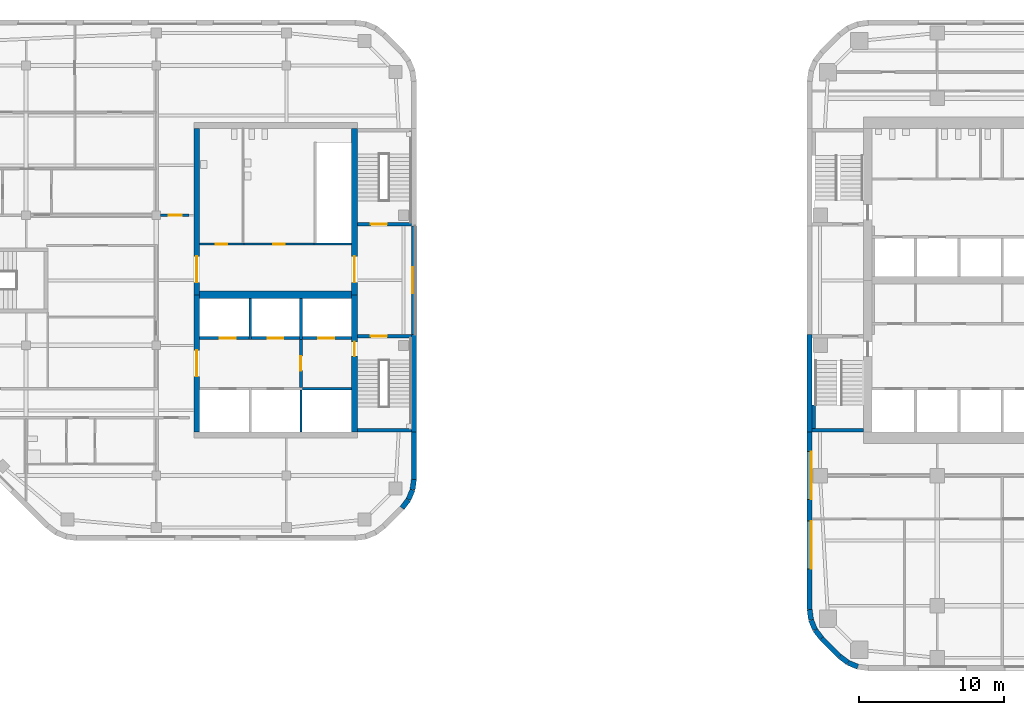
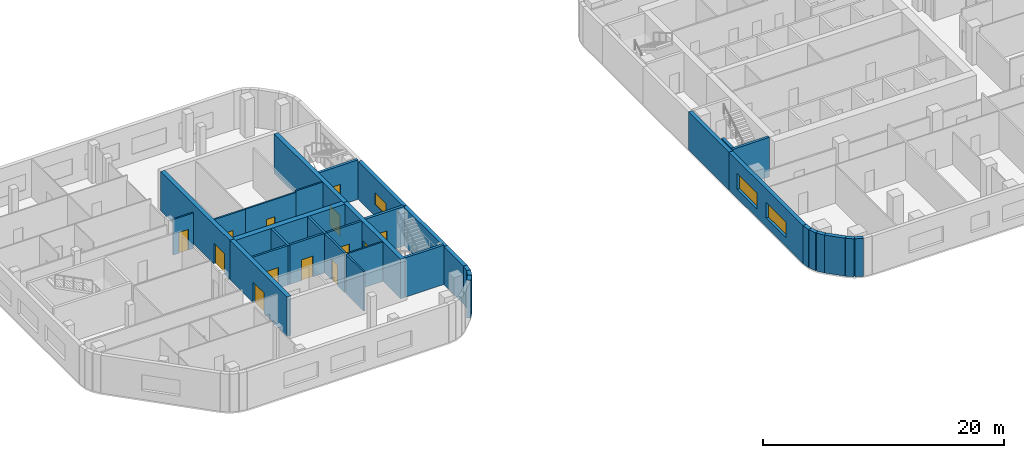
# One storey, part 6 of 15: 36 walls, 13 doors, 3 windows, 16 openings.
"""IFC4 building model written with IfcOpenShell, lengths in metres."""

from ifc_helpers import new_model, si_unit, direction, frame, frame_2d, origin, place, context, subcontext, project, spatial, rectangle, extrude, material, layer, layer_set, type_object, element, fill, save


model = new_model("IFC4")

# Units and contexts
model_context = context("Model", 3, precision=1e-05, world=origin(), true_north=direction((0.0, 1.0)))
body_context = subcontext(model_context, "Body", "Model", "MODEL_VIEW")
ifc_project = project(units=[si_unit("LENGTHUNIT", "METRE"), si_unit("AREAUNIT", "SQUARE_METRE"), si_unit("VOLUMEUNIT", "CUBIC_METRE"), si_unit("PLANEANGLEUNIT", "RADIAN"), si_unit("MASSUNIT", "GRAM", prefix="KILO")], contexts=[model_context])

# Site, building, storey
site_placement = place(None, origin())
site = spatial("IfcSite", under=ifc_project, at=site_placement, CompositionType="ELEMENT")
building_placement = place(site_placement, origin())
building = spatial("IfcBuilding", under=site, at=building_placement, Name="Cinnabar Reach Civic Tower", CompositionType="ELEMENT")
storey_placement = place(building_placement, frame((0.0, 0.0, 120.0)))
storey = spatial("IfcBuildingStorey", under=building, at=storey_placement, Name="L28", CompositionType="ELEMENT", Elevation=120.0)

# Walls
ifc_material_1 = material(Name="Facing brick with insulated backing", Category="masonry")
ifc_layer_1 = layer(ifc_material_1, 0.36)
ifc_layer_set_1 = layer_set([ifc_layer_1], Name="Brick corner wall")
wall_type_1 = type_object("IfcWallType", Name="Brick corner wall", PredefinedType="STANDARD", material=ifc_layer_set_1)
for number, where, z_axis, x_axis, name in (
    (1, (0.183, 8.7314, 0.0), (0.0, 0.0, 1.0), (0.13055608231, -0.99144092581, 0.0), "Brick corner wall"),
    (2, (0.2819, 8.0027, 0.0), (0.0, 0.0, 1.0), (0.382702709855, -0.923871547278, 0.0), "Brick corner wall"),
):
    element("IfcWall", number, at=place(storey_placement, frame(where, z_axis=z_axis, x_axis=x_axis)), inside=storey, type_object=wall_type_1, Name=name, PredefinedType="STANDARD", context=body_context, shape_type="SweptSolid", body=[
        extrude(rectangle(XDim=0.7131, YDim=0.36, at=frame_2d((0.3565, 0.0))), origin(), (0.0, 0.0, 1.0), 3.85),
    ])
for number, where, z_axis, x_axis, name in (
    (3, (0.566, 7.3245, 0.0), (0.0, 0.0, 1.0), (0.608802368033, -0.793321924995, 0.0), "Brick corner wall"),
    (4, (2.2587, 5.5002, 0.0), (0.0, 0.0, 1.0), (0.793321924995, -0.608802368033, 0.0), "Brick corner wall"),
):
    element("IfcWall", number, at=place(storey_placement, frame(where, z_axis=z_axis, x_axis=x_axis)), inside=storey, type_object=wall_type_1, Name=name, PredefinedType="STANDARD", context=body_context, shape_type="SweptSolid", body=[
        extrude(rectangle(XDim=0.7132, YDim=0.36, at=frame_2d((0.3566, 0.0))), origin(), (0.0, 0.0, 1.0), 3.85),
    ])
wall_1_placement = place(storey_placement, frame((2.8439, 5.0548, 0.0), z_axis=(0.0, 0.0, 1.0), x_axis=(0.923871547278, -0.382702709855, 0.0)))
element("IfcWall", 5, at=wall_1_placement, inside=storey, type_object=wall_type_1, Name="Brick corner wall", PredefinedType="STANDARD", context=body_context, shape_type="SweptSolid", body=[
    extrude(rectangle(XDim=0.7131, YDim=0.36, at=frame_2d((0.3565, 0.0))), origin(), (0.0, 0.0, 1.0), 3.85),
])
wall_2_placement = place(storey_placement, frame((-28.0002, 15.7587, 0.0), z_axis=(0.0, 0.0, 1.0), x_axis=(0.608802368033, 0.793321924995, 0.0)))
element("IfcWall", 6, at=wall_2_placement, inside=storey, type_object=wall_type_1, Name="Brick corner wall", PredefinedType="STANDARD", context=body_context, shape_type="SweptSolid", body=[
    extrude(rectangle(XDim=0.7132, YDim=0.36, at=frame_2d((0.3566, 0.0))), origin(), (0.0, 0.0, 1.0), 3.85),
])
for number, where, z_axis, x_axis, name in (
    (7, (-27.5548, 16.3439, 0.0), (0.0, 0.0, 1.0), (0.382702709855, 0.923871547278, 0.0), "Brick corner wall"),
    (8, (-27.2761, 17.0244, 0.0), (0.0, 0.0, 1.0), (0.13055608231, 0.99144092581, 0.0), "Brick corner wall"),
):
    element("IfcWall", number, at=place(storey_placement, frame(where, z_axis=z_axis, x_axis=x_axis)), inside=storey, type_object=wall_type_1, Name=name, PredefinedType="STANDARD", context=body_context, shape_type="SweptSolid", body=[
        extrude(rectangle(XDim=0.7131, YDim=0.36, at=frame_2d((0.3565, 0.0))), origin(), (0.0, 0.0, 1.0), 3.85),
    ])
ifc_layer_2 = layer(ifc_material_1, 0.36)
ifc_layer_set_2 = layer_set([ifc_layer_2], Name="Brick pier and spandrel wall")
wall_type_2 = type_object("IfcWallType", Name="Brick pier and spandrel wall", PredefinedType="STANDARD", material=ifc_layer_set_2)
wall_3_placement = place(storey_placement, frame((0.18, 27.75, 0.0), z_axis=(0.0, 0.0, 1.0), x_axis=(0.0, -1.0, 0.0)))
element("IfcWall", 9, at=wall_3_placement, inside=storey, type_object=wall_type_2, Name="Brick facade wall", PredefinedType="STANDARD", context=body_context, shape_type="SweptSolid", body=[
    extrude(rectangle(XDim=6.75, YDim=0.36, at=frame_2d((3.375, 0.0))), origin(), (0.0, 0.0, 1.0), 3.85),
])

# Wall, openings, windows
wall_4_placement = place(storey_placement, frame((0.18, 21.0, 0.0), z_axis=(0.0, 0.0, 1.0), x_axis=(0.0, -1.0, 0.0)))
wall_4 = element("IfcWall", 10, at=wall_4_placement, inside=storey, type_object=wall_type_2, Name="Brick facade wall", PredefinedType="STANDARD", context=body_context, shape_type="SweptSolid", body=[
    extrude(rectangle(XDim=12.2574, YDim=0.36, at=frame_2d((6.1287, 0.0))), origin(), (0.0, 0.0, 1.0), 3.85),
])
opening_1_placement = place(wall_4_placement, frame((1.35, 0.0, 0.9)))
opening_1 = element("IfcOpeningElement", 11, at=opening_1_placement, cuts=wall_4, Name="Opening W1609", PredefinedType="OPENING", context=body_context, shape_type="SweptSolid", body=[
    extrude(rectangle(XDim=3.3, YDim=1.6, at=frame_2d((1.65, 0.8))), frame((0.0, 0.19, 0.0), z_axis=(0.0, -1.0, 0.0), x_axis=(1.0, 0.0, 0.0)), (0.0, 0.0, 1.0), 0.38),
])
opening_2_placement = place(wall_4_placement, frame((6.15, 0.0, 0.9)))
opening_2 = element("IfcOpeningElement", 12, at=opening_2_placement, cuts=wall_4, Name="Opening W1610", PredefinedType="OPENING", context=body_context, shape_type="SweptSolid", body=[
    extrude(rectangle(XDim=3.3, YDim=1.6, at=frame_2d((1.65, 0.8))), frame((0.0, 0.19, 0.0), z_axis=(0.0, -1.0, 0.0), x_axis=(1.0, 0.0, 0.0)), (0.0, 0.0, 1.0), 0.38),
])
ifc_material_2 = material(Name="Clear double glazing in aluminium frame", Category="aluminium")
window_type_1 = type_object("IfcWindowType", Name="Deep-set window A", PartitioningType="SINGLE_PANEL", PredefinedType="WINDOW", material=ifc_material_2)
window_1_placement = place(opening_1_placement, origin())
window_1 = element("IfcWindow", 13, at=window_1_placement, inside=storey, type_object=window_type_1, Name="Window west face", OverallHeight=1.6, OverallWidth=3.3, PartitioningType="SINGLE_PANEL", PredefinedType="WINDOW", context=body_context, shape_type="SweptSolid", body=[
    extrude(rectangle(XDim=3.3, YDim=1.6, at=frame_2d((1.65, 0.8))), frame((0.0, 0.13, 0.0), z_axis=(0.0, -1.0, 0.0), x_axis=(1.0, 0.0, 0.0)), (0.0, 0.0, 1.0), 0.06),
])
fill(opening_1, window_1)
window_2_placement = place(opening_2_placement, origin())
window_2 = element("IfcWindow", 14, at=window_2_placement, inside=storey, type_object=window_type_1, Name="Window west face", OverallHeight=1.6, OverallWidth=3.3, PartitioningType="SINGLE_PANEL", PredefinedType="WINDOW", context=body_context, shape_type="SweptSolid", body=[
    extrude(rectangle(XDim=3.3, YDim=1.6, at=frame_2d((1.65, 0.8))), frame((0.0, 0.13, 0.0), z_axis=(0.0, -1.0, 0.0), x_axis=(1.0, 0.0, 0.0)), (0.0, 0.0, 1.0), 0.06),
])
fill(opening_2, window_2)

# Walls
wall_5_placement = place(storey_placement, frame((1.006, 6.7486, 0.0), z_axis=(0.0, 0.0, 1.0), x_axis=(0.707106781187, -0.707106781187, 0.0)))
element("IfcWall", 15, at=wall_5_placement, inside=storey, type_object=wall_type_2, Name="Brick facade wall", PredefinedType="STANDARD", context=body_context, shape_type="SweptSolid", body=[
    extrude(rectangle(XDim=1.7573, YDim=0.36, at=frame_2d((0.8787, 0.0))), origin(), (0.0, 0.0, 1.0), 3.85),
])
wall_6_placement = place(storey_placement, frame((-27.18, 17.7426, 0.0), z_axis=(0.0, 0.0, 1.0), x_axis=(0.0, 1.0, 0.0)))
element("IfcWall", 16, at=wall_6_placement, inside=storey, type_object=wall_type_2, Name="Brick facade wall", PredefinedType="STANDARD", context=body_context, shape_type="SweptSolid", body=[
    extrude(rectangle(XDim=3.2574, YDim=0.36, at=frame_2d((1.6287, 0.0))), origin(), (0.0, 0.0, 1.0), 3.85),
])
wall_7_placement = place(storey_placement, frame((-27.18, 21.0, 0.0), z_axis=(0.0, 0.0, 1.0), x_axis=(0.0, 1.0, 0.0)))
element("IfcWall", 17, at=wall_7_placement, inside=storey, type_object=wall_type_2, Name="Brick facade wall", PredefinedType="STANDARD", context=body_context, shape_type="SweptSolid", body=[
    extrude(rectangle(XDim=6.75, YDim=0.36, at=frame_2d((3.375, 0.0))), origin(), (0.0, 0.0, 1.0), 3.85),
])

# Wall, opening, window
wall_8_placement = place(storey_placement, frame((-27.18, 27.75, 0.0), z_axis=(0.0, 0.0, 1.0), x_axis=(0.0, 1.0, 0.0)))
wall_8 = element("IfcWall", 18, at=wall_8_placement, inside=storey, type_object=wall_type_2, Name="Brick facade wall", PredefinedType="STANDARD", context=body_context, shape_type="SweptSolid", body=[
    extrude(rectangle(XDim=7.5, YDim=0.36, at=frame_2d((3.75, 0.0))), origin(), (0.0, 0.0, 1.0), 3.85),
])
opening_3_placement = place(wall_8_placement, frame((2.85, 0.0, 1.2)))
opening_3 = element("IfcOpeningElement", 19, at=opening_3_placement, cuts=wall_8, Name="Opening W2740", PredefinedType="OPENING", context=body_context, shape_type="SweptSolid", body=[
    extrude(rectangle(XDim=1.8, YDim=1.2, at=frame_2d((0.9, 0.6))), frame((0.0, 0.19, 0.0), z_axis=(0.0, -1.0, 0.0), x_axis=(1.0, 0.0, 0.0)), (0.0, 0.0, 1.0), 0.38),
])
window_type_2 = type_object("IfcWindowType", Name="Deep-set window C", PartitioningType="SINGLE_PANEL", PredefinedType="WINDOW", material=ifc_material_2)
window_3_placement = place(opening_3_placement, origin())
window_3 = element("IfcWindow", 20, at=window_3_placement, inside=storey, type_object=window_type_2, Name="Window east face", OverallHeight=1.2, OverallWidth=1.8, PartitioningType="SINGLE_PANEL", PredefinedType="WINDOW", context=body_context, shape_type="SweptSolid", body=[
    extrude(rectangle(XDim=1.8, YDim=1.2, at=frame_2d((0.9, 0.6))), frame((0.0, 0.13, 0.0), z_axis=(0.0, -1.0, 0.0), x_axis=(1.0, 0.0, 0.0)), (0.0, 0.0, 1.0), 0.06),
])
fill(opening_3, window_3)

# Wall, opening, door
ifc_material_3 = material(Name="Concrete C60", Category="concrete")
ifc_layer_3 = layer(ifc_material_3, 0.4)
ifc_layer_set_3 = layer_set([ifc_layer_3], Name="Core wall 400 EI 180")
wall_type_3 = type_object("IfcWallType", Name="Core wall 400 EI 180", PredefinedType="SOLIDWALL", material=ifc_layer_set_3)
wall_9_placement = place(storey_placement, frame((-31.3, 21.0, 0.0), z_axis=(0.0, 0.0, 1.0), x_axis=(0.0, 1.0, 0.0)))
wall_9 = element("IfcWall", 21, at=wall_9_placement, inside=storey, type_object=wall_type_3, Name="Core wall T2 L28 E", PredefinedType="SOLIDWALL", context=body_context, shape_type="SweptSolid", body=[
    extrude(rectangle(XDim=9.5, YDim=0.4, at=frame_2d((4.75, 0.0))), origin(), (0.0, 0.0, 1.0), 4.0),
])
opening_4_placement = place(wall_9_placement, frame((5.25, 0.0, 0.0)))
opening_4 = element("IfcOpeningElement", 22, at=opening_4_placement, cuts=wall_9, Name="Opening D7014", PredefinedType="OPENING", context=body_context, shape_type="SweptSolid", body=[
    extrude(rectangle(XDim=1.0, YDim=2.1, at=frame_2d((0.5, 1.05))), frame((0.0, 0.21, 0.0), z_axis=(0.0, -1.0, 0.0), x_axis=(1.0, 0.0, 0.0)), (0.0, 0.0, 1.0), 0.42),
])
ifc_material_4 = material(Name="Steel fire door", Category="steel")
door_type_1 = type_object("IfcDoorType", Name="T2 Firefighting lobby door 1000", OperationType="SINGLE_SWING_LEFT", PredefinedType="DOOR", material=ifc_material_4)
door_1_placement = place(opening_4_placement, frame((1.0, 0.0, 0.0), z_axis=(0.0, 0.0, 1.0), x_axis=(-1.0, 0.0, 0.0)))
door_1 = element("IfcDoor", 23, at=door_1_placement, inside=storey, type_object=door_type_1, Name="T2 Firefighting lobby door D7014", OperationType="SINGLE_SWING_LEFT", OverallHeight=2.1, OverallWidth=1.0, PredefinedType="DOOR", context=body_context, shape_type="SweptSolid", body=[
    extrude(rectangle(XDim=1.0, YDim=2.1, at=frame_2d((0.5, 1.05))), frame((0.0, 0.025, 0.0), z_axis=(0.0, -1.0, 0.0), x_axis=(1.0, 0.0, 0.0)), (0.0, 0.0, 1.0), 0.05),
])
fill(opening_4, door_1)

wall_10_placement = place(storey_placement, frame((-31.3, 30.5, 0.0), z_axis=(0.0, 0.0, 1.0), x_axis=(0.0, 1.0, 0.0)))
wall_10 = element("IfcWall", 24, at=wall_10_placement, inside=storey, type_object=wall_type_3, Name="Core wall T2 L28 E2", PredefinedType="SOLIDWALL", context=body_context, shape_type="SweptSolid", body=[
    extrude(rectangle(XDim=11.5, YDim=0.4, at=frame_2d((5.75, 0.0))), origin(), (0.0, 0.0, 1.0), 4.0),
])
opening_5_placement = place(wall_10_placement, frame((0.85, 0.0, 0.0)))
opening_5 = element("IfcOpeningElement", 25, at=opening_5_placement, cuts=wall_10, Name="Opening D7017", PredefinedType="OPENING", context=body_context, shape_type="SweptSolid", body=[
    extrude(rectangle(XDim=1.8, YDim=2.1, at=frame_2d((0.9, 1.05))), frame((0.0, 0.21, 0.0), z_axis=(0.0, -1.0, 0.0), x_axis=(1.0, 0.0, 0.0)), (0.0, 0.0, 1.0), 0.42),
])
door_type_2 = type_object("IfcDoorType", Name="T2 Double door 1800", OperationType="DOUBLE_DOOR_SINGLE_SWING", PredefinedType="DOOR", material=ifc_material_4)
door_2_placement = place(opening_5_placement, origin())
door_2 = element("IfcDoor", 26, at=door_2_placement, inside=storey, type_object=door_type_2, Name="T2 Double door D7017", OperationType="DOUBLE_DOOR_SINGLE_SWING", OverallHeight=2.1, OverallWidth=1.8, PredefinedType="DOOR", context=body_context, shape_type="SweptSolid", body=[
    extrude(rectangle(XDim=1.8, YDim=2.1, at=frame_2d((0.9, 1.05))), frame((0.0, 0.025, 0.0), z_axis=(0.0, -1.0, 0.0), x_axis=(1.0, 0.0, 0.0)), (0.0, 0.0, 1.0), 0.05),
])
fill(opening_5, door_2)

wall_11_placement = place(storey_placement, frame((-42.2, 42.0, 0.0), z_axis=(0.0, 0.0, 1.0), x_axis=(0.0, -1.0, 0.0)))
wall_11 = element("IfcWall", 27, at=wall_11_placement, inside=storey, type_object=wall_type_3, Name="Core wall T2 L28 W", PredefinedType="SOLIDWALL", context=body_context, shape_type="SweptSolid", body=[
    extrude(rectangle(XDim=11.5, YDim=0.4, at=frame_2d((5.75, 0.0))), origin(), (0.0, 0.0, 1.0), 4.0),
])
opening_6_placement = place(wall_11_placement, frame((8.85, 0.0, 0.0)))
opening_6 = element("IfcOpeningElement", 28, at=opening_6_placement, cuts=wall_11, Name="Opening D7019", PredefinedType="OPENING", context=body_context, shape_type="SweptSolid", body=[
    extrude(rectangle(XDim=1.8, YDim=2.1, at=frame_2d((0.9, 1.05))), frame((0.0, 0.21, 0.0), z_axis=(0.0, -1.0, 0.0), x_axis=(1.0, 0.0, 0.0)), (0.0, 0.0, 1.0), 0.42),
])
door_3_placement = place(opening_6_placement, frame((1.8, 0.0, 0.0), z_axis=(0.0, 0.0, 1.0), x_axis=(-1.0, 0.0, 0.0)))
door_3 = element("IfcDoor", 29, at=door_3_placement, inside=storey, type_object=door_type_2, Name="T2 Double door D7019", OperationType="DOUBLE_DOOR_SINGLE_SWING", OverallHeight=2.1, OverallWidth=1.8, PredefinedType="DOOR", context=body_context, shape_type="SweptSolid", body=[
    extrude(rectangle(XDim=1.8, YDim=2.1, at=frame_2d((0.9, 1.05))), frame((0.0, 0.025, 0.0), z_axis=(0.0, -1.0, 0.0), x_axis=(1.0, 0.0, 0.0)), (0.0, 0.0, 1.0), 0.05),
])
fill(opening_6, door_3)

wall_12_placement = place(storey_placement, frame((-42.2, 30.5, 0.0), z_axis=(0.0, 0.0, 1.0), x_axis=(0.0, -1.0, 0.0)))
wall_12 = element("IfcWall", 30, at=wall_12_placement, inside=storey, type_object=wall_type_3, Name="Core wall T2 L28 W2", PredefinedType="SOLIDWALL", context=body_context, shape_type="SweptSolid", body=[
    extrude(rectangle(XDim=9.5, YDim=0.4, at=frame_2d((4.75, 0.0))), origin(), (0.0, 0.0, 1.0), 4.0),
])
opening_7_placement = place(wall_12_placement, frame((3.85, 0.0, 0.0)))
opening_7 = element("IfcOpeningElement", 31, at=opening_7_placement, cuts=wall_12, Name="Opening D7018", PredefinedType="OPENING", context=body_context, shape_type="SweptSolid", body=[
    extrude(rectangle(XDim=1.8, YDim=2.1, at=frame_2d((0.9, 1.05))), frame((0.0, 0.21, 0.0), z_axis=(0.0, -1.0, 0.0), x_axis=(1.0, 0.0, 0.0)), (0.0, 0.0, 1.0), 0.42),
])
door_4_placement = place(opening_7_placement, origin())
door_4 = element("IfcDoor", 32, at=door_4_placement, inside=storey, type_object=door_type_2, Name="T2 Double door D7018", OperationType="DOUBLE_DOOR_SINGLE_SWING", OverallHeight=2.1, OverallWidth=1.8, PredefinedType="DOOR", context=body_context, shape_type="SweptSolid", body=[
    extrude(rectangle(XDim=1.8, YDim=2.1, at=frame_2d((0.9, 1.05))), frame((0.0, 0.025, 0.0), z_axis=(0.0, -1.0, 0.0), x_axis=(1.0, 0.0, 0.0)), (0.0, 0.0, 1.0), 0.05),
])
fill(opening_7, door_4)

# Wall
ifc_layer_4 = layer(ifc_material_3, 0.5)
ifc_layer_set_4 = layer_set([ifc_layer_4], Name="Core wall 500 EI 180")
wall_type_4 = type_object("IfcWallType", Name="Core wall 500 EI 180", PredefinedType="SOLIDWALL", material=ifc_layer_set_4)
wall_13_placement = place(storey_placement, frame((-42.0, 30.5, 0.0), z_axis=(0.0, 0.0, 1.0), x_axis=(1.0, 0.0, 0.0)))
element("IfcWall", 33, at=wall_13_placement, inside=storey, type_object=wall_type_4, Name="Core spine wall T2 L28", PredefinedType="SOLIDWALL", context=body_context, shape_type="SweptSolid", body=[
    extrude(rectangle(XDim=10.5, YDim=0.5, at=frame_2d((5.25, 0.0))), origin(), (0.0, 0.0, 1.0), 4.0),
])

# Wall, opening, door
ifc_material_5 = material(Name="Gypsum board on steel studs, double layer", Category="steel")
ifc_layer_5 = layer(ifc_material_5, 0.15)
ifc_layer_set_5 = layer_set([ifc_layer_5], Name="Corridor wall 150 T2")
wall_type_5 = type_object("IfcWallType", Name="Corridor wall 150 T2", PredefinedType="PARTITIONING", material=ifc_layer_set_5)
wall_14_placement = place(storey_placement, frame((-44.7, 36.0, 0.0), z_axis=(0.0, 0.0, 1.0), x_axis=(1.0, 0.0, 0.0)))
wall_14 = element("IfcWall", 34, at=wall_14_placement, inside=storey, type_object=wall_type_5, Name="Corridor wall 1", PredefinedType="PARTITIONING", context=body_context, shape_type="SweptSolid", body=[
    extrude(rectangle(XDim=1.975, YDim=0.15, at=frame_2d((0.9875, 0.0))), origin(), (0.0, 0.0, 1.0), 3.602),
])
opening_8_placement = place(wall_14_placement, frame((0.55, 0.0, 0.0)))
opening_8 = element("IfcOpeningElement", 35, at=opening_8_placement, cuts=wall_14, Name="Opening D7022", PredefinedType="OPENING", context=body_context, shape_type="SweptSolid", body=[
    extrude(rectangle(XDim=0.9, YDim=2.1, at=frame_2d((0.45, 1.05))), frame((0.0, 0.085, 0.0), z_axis=(0.0, -1.0, 0.0), x_axis=(1.0, 0.0, 0.0)), (0.0, 0.0, 1.0), 0.17),
])
ifc_material_6 = material(Name="Timber door leaf in steel frame", Category="steel")
door_type_3 = type_object("IfcDoorType", Name="Single swing door 900 x 2100 T2", OperationType="SINGLE_SWING_LEFT", PredefinedType="DOOR", material=ifc_material_6)
door_5_placement = place(opening_8_placement, origin())
door_5 = element("IfcDoor", 36, at=door_5_placement, inside=storey, type_object=door_type_3, Name="Door D7022", OperationType="SINGLE_SWING_RIGHT", OverallHeight=2.1, OverallWidth=0.9, PredefinedType="DOOR", context=body_context, shape_type="SweptSolid", body=[
    extrude(rectangle(XDim=0.9, YDim=2.1, at=frame_2d((0.45, 1.05))), frame((0.0, 0.025, 0.0), z_axis=(0.0, -1.0, 0.0), x_axis=(1.0, 0.0, 0.0)), (0.0, 0.0, 1.0), 0.05),
])
fill(opening_8, door_5)

# Walls
ifc_layer_6 = layer(ifc_material_3, 0.25)
ifc_layer_set_6 = layer_set([ifc_layer_6], Name="Stair shaft wall 250 EI 120")
wall_type_6 = type_object("IfcWallType", Name="Stair shaft wall 250 EI 120", PredefinedType="SOLIDWALL", material=ifc_layer_set_6)
wall_15_placement = place(storey_placement, frame((0.36, 21.125, 0.0), z_axis=(0.0, 0.0, 1.0), x_axis=(1.0, 0.0, 0.0)))
element("IfcWall", 37, at=wall_15_placement, inside=storey, type_object=wall_type_6, Name="Stair shaft wall T1-S1 L28", PredefinedType="SOLIDWALL", context=body_context, shape_type="SweptSolid", body=[
    extrude(rectangle(XDim=3.54, YDim=0.25, at=frame_2d((1.77, 0.0))), origin(), (0.0, 0.0, 1.0), 4.0),
])
wall_16_placement = place(storey_placement, frame((-31.1, 21.125, 0.0), z_axis=(0.0, 0.0, 1.0), x_axis=(1.0, 0.0, 0.0)))
element("IfcWall", 38, at=wall_16_placement, inside=storey, type_object=wall_type_6, Name="Stair shaft wall T2-S1 L28", PredefinedType="SOLIDWALL", context=body_context, shape_type="SweptSolid", body=[
    extrude(rectangle(XDim=3.74, YDim=0.25, at=frame_2d((1.87, 0.0))), origin(), (0.0, 0.0, 1.0), 4.0),
])

# Wall, opening, door
wall_17_placement = place(storey_placement, frame((-27.36, 27.625, 0.0), z_axis=(0.0, 0.0, 1.0), x_axis=(-1.0, 0.0, 0.0)))
wall_17 = element("IfcWall", 39, at=wall_17_placement, inside=storey, type_object=wall_type_6, Name="Stair shaft wall T2-S1 L28", PredefinedType="SOLIDWALL", context=body_context, shape_type="SweptSolid", body=[
    extrude(rectangle(XDim=3.74, YDim=0.25, at=frame_2d((1.87, 0.0))), origin(), (0.0, 0.0, 1.0), 4.0),
])
opening_9_placement = place(wall_17_placement, frame((1.69, 0.0, 0.0)))
opening_9 = element("IfcOpeningElement", 40, at=opening_9_placement, cuts=wall_17, Name="Opening D7015", PredefinedType="OPENING", context=body_context, shape_type="SweptSolid", body=[
    extrude(rectangle(XDim=1.1, YDim=2.1, at=frame_2d((0.55, 1.05))), frame((0.0, 0.135, 0.0), z_axis=(0.0, -1.0, 0.0), x_axis=(1.0, 0.0, 0.0)), (0.0, 0.0, 1.0), 0.27),
])
door_type_4 = type_object("IfcDoorType", Name="T2 Stair door 1100", OperationType="SINGLE_SWING_LEFT", PredefinedType="DOOR", material=ifc_material_4)
door_6_placement = place(opening_9_placement, origin())
door_6 = element("IfcDoor", 41, at=door_6_placement, inside=storey, type_object=door_type_4, Name="T2 Stair door D7015", OperationType="SINGLE_SWING_RIGHT", OverallHeight=2.1, OverallWidth=1.1, PredefinedType="DOOR", context=body_context, shape_type="SweptSolid", body=[
    extrude(rectangle(XDim=1.1, YDim=2.1, at=frame_2d((0.55, 1.05))), frame((0.0, 0.025, 0.0), z_axis=(0.0, -1.0, 0.0), x_axis=(1.0, 0.0, 0.0)), (0.0, 0.0, 1.0), 0.05),
])
fill(opening_9, door_6)

wall_18_placement = place(storey_placement, frame((-31.1, 35.375, 0.0), z_axis=(0.0, 0.0, 1.0), x_axis=(1.0, 0.0, 0.0)))
wall_18 = element("IfcWall", 42, at=wall_18_placement, inside=storey, type_object=wall_type_6, Name="Stair shaft wall T2-S2 L28", PredefinedType="SOLIDWALL", context=body_context, shape_type="SweptSolid", body=[
    extrude(rectangle(XDim=3.74, YDim=0.25, at=frame_2d((1.87, 0.0))), origin(), (0.0, 0.0, 1.0), 4.0),
])
opening_10_placement = place(wall_18_placement, frame((0.95, 0.0, 0.0)))
opening_10 = element("IfcOpeningElement", 43, at=opening_10_placement, cuts=wall_18, Name="Opening D7016", PredefinedType="OPENING", context=body_context, shape_type="SweptSolid", body=[
    extrude(rectangle(XDim=1.1, YDim=2.1, at=frame_2d((0.55, 1.05))), frame((0.0, 0.135, 0.0), z_axis=(0.0, -1.0, 0.0), x_axis=(1.0, 0.0, 0.0)), (0.0, 0.0, 1.0), 0.27),
])
door_7_placement = place(opening_10_placement, origin())
door_7 = element("IfcDoor", 44, at=door_7_placement, inside=storey, type_object=door_type_4, Name="T2 Stair door D7016", OperationType="SINGLE_SWING_LEFT", OverallHeight=2.1, OverallWidth=1.1, PredefinedType="DOOR", context=body_context, shape_type="SweptSolid", body=[
    extrude(rectangle(XDim=1.1, YDim=2.1, at=frame_2d((0.55, 1.05))), frame((0.0, 0.025, 0.0), z_axis=(0.0, -1.0, 0.0), x_axis=(1.0, 0.0, 0.0)), (0.0, 0.0, 1.0), 0.05),
])
fill(opening_10, door_7)

# Wall
ifc_material_7 = material(Name="Concrete C40/50", Category="concrete")
ifc_layer_7 = layer(ifc_material_7, 0.24)
ifc_layer_set_7 = layer_set([ifc_layer_7], Name="T1 landing bearer wall 240")
wall_type_7 = type_object("IfcWallType", Name="T1 landing bearer wall 240", PredefinedType="STANDARD", material=ifc_layer_set_7)
wall_19_placement = place(storey_placement, frame((0.48, 21.25, 0.0), z_axis=(0.0, 0.0, 1.0), x_axis=(0.0, 1.0, 0.0)))
element("IfcWall", 45, at=wall_19_placement, inside=storey, type_object=wall_type_7, Name="T1-S1 landing bearer wall", PredefinedType="STANDARD", context=body_context, shape_type="SweptSolid", body=[
    extrude(rectangle(XDim=1.62, YDim=0.24, at=frame_2d((0.81, 0.0))), origin(), (0.0, 0.0, 1.0), 4.0),
])

# Wall, opening, door
ifc_material_8 = material(Name="Masonry block partition", Category="masonry")
ifc_layer_8 = layer(ifc_material_8, 0.15)
ifc_layer_set_8 = layer_set([ifc_layer_8], Name="T2 Corridor wall 150")
wall_type_8 = type_object("IfcWallType", Name="T2 Corridor wall 150", PredefinedType="PARTITIONING", material=ifc_layer_set_8)
wall_20_placement = place(storey_placement, frame((-38.925, 34.0, 0.0), z_axis=(0.0, 0.0, 1.0), x_axis=(-1.0, 0.0, 0.0)))
wall_20 = element("IfcWall", 46, at=wall_20_placement, inside=storey, type_object=wall_type_8, Name="T2 Corridor wall L28 014", PredefinedType="PARTITIONING", context=body_context, shape_type="SweptSolid", body=[
    extrude(rectangle(XDim=3.075, YDim=0.15, at=frame_2d((1.5375, 0.0))), origin(), (0.0, 0.0, 1.0), 3.85),
])
opening_11_placement = place(wall_20_placement, frame((1.175, 0.0, 0.0)))
opening_11 = element("IfcOpeningElement", 47, at=opening_11_placement, cuts=wall_20, Name="Opening D7020", PredefinedType="OPENING", context=body_context, shape_type="SweptSolid", body=[
    extrude(rectangle(XDim=0.8, YDim=2.1, at=frame_2d((0.4, 1.05))), frame((0.0, 0.085, 0.0), z_axis=(0.0, -1.0, 0.0), x_axis=(1.0, 0.0, 0.0)), (0.0, 0.0, 1.0), 0.17),
])
ifc_material_9 = material(Name="Timber door leaf", Category="wood")
door_type_5 = type_object("IfcDoorType", Name="T2 Bathroom door 800", OperationType="SINGLE_SWING_LEFT", PredefinedType="DOOR", material=ifc_material_9)
door_8_placement = place(opening_11_placement, frame((0.8, 0.0, 0.0), z_axis=(0.0, 0.0, 1.0), x_axis=(-1.0, 0.0, 0.0)))
door_8 = element("IfcDoor", 48, at=door_8_placement, inside=storey, type_object=door_type_5, Name="T2 Bathroom door D7020", OperationType="SINGLE_SWING_RIGHT", OverallHeight=2.1, OverallWidth=0.8, PredefinedType="DOOR", context=body_context, shape_type="SweptSolid", body=[
    extrude(rectangle(XDim=0.8, YDim=2.1, at=frame_2d((0.4, 1.05))), frame((0.0, 0.025, 0.0), z_axis=(0.0, -1.0, 0.0), x_axis=(1.0, 0.0, 0.0)), (0.0, 0.0, 1.0), 0.05),
])
fill(opening_11, door_8)

wall_21_placement = place(storey_placement, frame((-34.075, 34.0, 0.0), z_axis=(0.0, 0.0, 1.0), x_axis=(-1.0, 0.0, 0.0)))
wall_21 = element("IfcWall", 49, at=wall_21_placement, inside=storey, type_object=wall_type_8, Name="T2 Corridor wall L28 015", PredefinedType="PARTITIONING", context=body_context, shape_type="SweptSolid", body=[
    extrude(rectangle(XDim=4.85, YDim=0.15, at=frame_2d((2.425, 0.0))), origin(), (0.0, 0.0, 1.0), 3.85),
])
opening_12_placement = place(wall_21_placement, frame((2.025, 0.0, 0.0)))
opening_12 = element("IfcOpeningElement", 50, at=opening_12_placement, cuts=wall_21, Name="Opening D7021", PredefinedType="OPENING", context=body_context, shape_type="SweptSolid", body=[
    extrude(rectangle(XDim=0.8, YDim=2.1, at=frame_2d((0.4, 1.05))), frame((0.0, 0.085, 0.0), z_axis=(0.0, -1.0, 0.0), x_axis=(1.0, 0.0, 0.0)), (0.0, 0.0, 1.0), 0.17),
])
door_9_placement = place(opening_12_placement, frame((0.8, 0.0, 0.0), z_axis=(0.0, 0.0, 1.0), x_axis=(-1.0, 0.0, 0.0)))
door_9 = element("IfcDoor", 51, at=door_9_placement, inside=storey, type_object=door_type_5, Name="T2 Bathroom door D7021", OperationType="SINGLE_SWING_RIGHT", OverallHeight=2.1, OverallWidth=0.8, PredefinedType="DOOR", context=body_context, shape_type="SweptSolid", body=[
    extrude(rectangle(XDim=0.8, YDim=2.1, at=frame_2d((0.4, 1.05))), frame((0.0, 0.025, 0.0), z_axis=(0.0, -1.0, 0.0), x_axis=(1.0, 0.0, 0.0)), (0.0, 0.0, 1.0), 0.05),
])
fill(opening_12, door_9)

# Walls
ifc_material_10 = material(Name="Concrete C40", Category="concrete")
ifc_layer_9 = layer(ifc_material_10, 0.15)
ifc_layer_set_9 = layer_set([ifc_layer_9], Name="T2 Riser wall 150")
wall_type_9 = type_object("IfcWallType", Name="T2 Riser wall 150", PredefinedType="SOLIDWALL", material=ifc_layer_set_9)
wall_22_placement = place(storey_placement, frame((-35.0, 21.0, 0.0), z_axis=(0.0, 0.0, 1.0), x_axis=(0.0, 1.0, 0.0)))
element("IfcWall", 52, at=wall_22_placement, inside=storey, type_object=wall_type_9, Name="T2 Riser wall L28 010", PredefinedType="SOLIDWALL", context=body_context, shape_type="SweptSolid", body=[
    extrude(rectangle(XDim=2.9, YDim=0.15, at=frame_2d((1.45, 0.0))), origin(), (0.0, 0.0, 1.0), 4.0),
])
wall_23_placement = place(storey_placement, frame((-31.5, 24.0, 0.0), z_axis=(0.0, 0.0, 1.0), x_axis=(-1.0, 0.0, 0.0)))
element("IfcWall", 53, at=wall_23_placement, inside=storey, type_object=wall_type_9, Name="T2 Riser wall L28 011", PredefinedType="SOLIDWALL", context=body_context, shape_type="SweptSolid", body=[
    extrude(rectangle(XDim=3.4, YDim=0.15, at=frame_2d((1.7, 0.0))), origin(), (0.0, 0.0, 1.0), 4.0),
])
wall_24_placement = place(storey_placement, frame((-34.075, 34.0, 0.0), z_axis=(0.0, 0.0, 1.0), x_axis=(1.0, 0.0, 0.0)))
element("IfcWall", 54, at=wall_24_placement, inside=storey, type_object=wall_type_9, Name="T2 Riser wall L28 012", PredefinedType="SOLIDWALL", context=body_context, shape_type="SweptSolid", body=[
    extrude(rectangle(XDim=2.575, YDim=0.15, at=frame_2d((1.2875, 0.0))), origin(), (0.0, 0.0, 1.0), 4.0),
])
ifc_layer_10 = layer(ifc_material_10, 0.2)
ifc_layer_set_10 = layer_set([ifc_layer_10], Name="T2 Shaft wall 200")
wall_type_10 = type_object("IfcWallType", Name="T2 Shaft wall 200", PredefinedType="SOLIDWALL", material=ifc_layer_set_10)
wall_25_placement = place(storey_placement, frame((-38.5, 27.4, 0.0), z_axis=(0.0, 0.0, 1.0), x_axis=(0.0, 1.0, 0.0)))
element("IfcWall", 55, at=wall_25_placement, inside=storey, type_object=wall_type_10, Name="T2 Shaft wall L28 004", PredefinedType="SOLIDWALL", context=body_context, shape_type="SweptSolid", body=[
    extrude(rectangle(XDim=2.85, YDim=0.2, at=frame_2d((1.425, 0.0))), origin(), (0.0, 0.0, 1.0), 4.0),
])

# Wall, opening, door
wall_26_placement = place(storey_placement, frame((-42.0, 27.5, 0.0), z_axis=(0.0, 0.0, 1.0), x_axis=(1.0, 0.0, 0.0)))
wall_26 = element("IfcWall", 56, at=wall_26_placement, inside=storey, type_object=wall_type_10, Name="T2 Shaft wall L28 005", PredefinedType="SOLIDWALL", context=body_context, shape_type="SweptSolid", body=[
    extrude(rectangle(XDim=3.4, YDim=0.2, at=frame_2d((1.7, 0.0))), origin(), (0.0, 0.0, 1.0), 4.0),
])
opening_13_placement = place(wall_26_placement, frame((1.4, 0.0, 0.0)))
opening_13 = element("IfcOpeningElement", 57, at=opening_13_placement, cuts=wall_26, Name="Opening D7010", PredefinedType="OPENING", context=body_context, shape_type="SweptSolid", body=[
    extrude(rectangle(XDim=1.1, YDim=2.1, at=frame_2d((0.55, 1.05))), frame((0.0, 0.11, 0.0), z_axis=(0.0, -1.0, 0.0), x_axis=(1.0, 0.0, 0.0)), (0.0, 0.0, 1.0), 0.22),
])
door_type_6 = type_object("IfcDoorType", Name="T2 Lift landing door 1100", OperationType="SLIDING_TO_LEFT", PredefinedType="DOOR", material=ifc_material_4)
door_10_placement = place(opening_13_placement, origin())
door_10 = element("IfcDoor", 58, at=door_10_placement, inside=storey, type_object=door_type_6, Name="T2 Lift landing door D7010", OperationType="SLIDING_TO_LEFT", OverallHeight=2.1, OverallWidth=1.1, PredefinedType="DOOR", context=body_context, shape_type="SweptSolid", body=[
    extrude(rectangle(XDim=1.1, YDim=2.1, at=frame_2d((0.55, 1.05))), frame((0.0, 0.025, 0.0), z_axis=(0.0, -1.0, 0.0), x_axis=(1.0, 0.0, 0.0)), (0.0, 0.0, 1.0), 0.05),
])
fill(opening_13, door_10)

# Wall
wall_27_placement = place(storey_placement, frame((-35.0, 27.4, 0.0), z_axis=(0.0, 0.0, 1.0), x_axis=(0.0, 1.0, 0.0)))
element("IfcWall", 59, at=wall_27_placement, inside=storey, type_object=wall_type_10, Name="T2 Shaft wall L28 006", PredefinedType="SOLIDWALL", context=body_context, shape_type="SweptSolid", body=[
    extrude(rectangle(XDim=2.85, YDim=0.2, at=frame_2d((1.425, 0.0))), origin(), (0.0, 0.0, 1.0), 4.0),
])

# Wall, opening, door
wall_28_placement = place(storey_placement, frame((-38.4, 27.5, 0.0), z_axis=(0.0, 0.0, 1.0), x_axis=(1.0, 0.0, 0.0)))
wall_28 = element("IfcWall", 60, at=wall_28_placement, inside=storey, type_object=wall_type_10, Name="T2 Shaft wall L28 007", PredefinedType="SOLIDWALL", context=body_context, shape_type="SweptSolid", body=[
    extrude(rectangle(XDim=3.3, YDim=0.2, at=frame_2d((1.65, 0.0))), origin(), (0.0, 0.0, 1.0), 4.0),
])
opening_14_placement = place(wall_28_placement, frame((1.1, 0.0, 0.0)))
opening_14 = element("IfcOpeningElement", 61, at=opening_14_placement, cuts=wall_28, Name="Opening D7011", PredefinedType="OPENING", context=body_context, shape_type="SweptSolid", body=[
    extrude(rectangle(XDim=1.1, YDim=2.1, at=frame_2d((0.55, 1.05))), frame((0.0, 0.11, 0.0), z_axis=(0.0, -1.0, 0.0), x_axis=(1.0, 0.0, 0.0)), (0.0, 0.0, 1.0), 0.22),
])
door_11_placement = place(opening_14_placement, origin())
door_11 = element("IfcDoor", 62, at=door_11_placement, inside=storey, type_object=door_type_6, Name="T2 Lift landing door D7011", OperationType="SLIDING_TO_LEFT", OverallHeight=2.1, OverallWidth=1.1, PredefinedType="DOOR", context=body_context, shape_type="SweptSolid", body=[
    extrude(rectangle(XDim=1.1, YDim=2.1, at=frame_2d((0.55, 1.05))), frame((0.0, 0.025, 0.0), z_axis=(0.0, -1.0, 0.0), x_axis=(1.0, 0.0, 0.0)), (0.0, 0.0, 1.0), 0.05),
])
fill(opening_14, door_11)

wall_29_placement = place(storey_placement, frame((-34.9, 27.5, 0.0), z_axis=(0.0, 0.0, 1.0), x_axis=(1.0, 0.0, 0.0)))
wall_29 = element("IfcWall", 63, at=wall_29_placement, inside=storey, type_object=wall_type_10, Name="T2 Shaft wall L28 008", PredefinedType="SOLIDWALL", context=body_context, shape_type="SweptSolid", body=[
    extrude(rectangle(XDim=3.4, YDim=0.2, at=frame_2d((1.7, 0.0))), origin(), (0.0, 0.0, 1.0), 4.0),
])
opening_15_placement = place(wall_29_placement, frame((1.1, 0.0, 0.0)))
opening_15 = element("IfcOpeningElement", 64, at=opening_15_placement, cuts=wall_29, Name="Opening D7012", PredefinedType="OPENING", context=body_context, shape_type="SweptSolid", body=[
    extrude(rectangle(XDim=1.1, YDim=2.1, at=frame_2d((0.55, 1.05))), frame((0.0, 0.11, 0.0), z_axis=(0.0, -1.0, 0.0), x_axis=(1.0, 0.0, 0.0)), (0.0, 0.0, 1.0), 0.22),
])
door_type_7 = type_object("IfcDoorType", Name="T2 Firefighting lift landing door 1100", OperationType="SLIDING_TO_LEFT", PredefinedType="DOOR", material=ifc_material_4)
door_12_placement = place(opening_15_placement, origin())
door_12 = element("IfcDoor", 65, at=door_12_placement, inside=storey, type_object=door_type_7, Name="T2 Firefighting lift landing door D7012", OperationType="SLIDING_TO_LEFT", OverallHeight=2.1, OverallWidth=1.1, PredefinedType="DOOR", context=body_context, shape_type="SweptSolid", body=[
    extrude(rectangle(XDim=1.1, YDim=2.1, at=frame_2d((0.55, 1.05))), frame((0.0, 0.025, 0.0), z_axis=(0.0, -1.0, 0.0), x_axis=(1.0, 0.0, 0.0)), (0.0, 0.0, 1.0), 0.05),
])
fill(opening_15, door_12)

wall_30_placement = place(storey_placement, frame((-35.0, 24.1, 0.0), z_axis=(0.0, 0.0, 1.0), x_axis=(0.0, 1.0, 0.0)))
wall_30 = element("IfcWall", 66, at=wall_30_placement, inside=storey, type_object=wall_type_10, Name="T2 Shaft wall L28 009", PredefinedType="SOLIDWALL", context=body_context, shape_type="SweptSolid", body=[
    extrude(rectangle(XDim=3.3, YDim=0.2, at=frame_2d((1.65, 0.0))), origin(), (0.0, 0.0, 1.0), 4.0),
])
opening_16_placement = place(wall_30_placement, frame((1.15, 0.0, 0.0)))
opening_16 = element("IfcOpeningElement", 67, at=opening_16_placement, cuts=wall_30, Name="Opening D7013", PredefinedType="OPENING", context=body_context, shape_type="SweptSolid", body=[
    extrude(rectangle(XDim=1.0, YDim=2.1, at=frame_2d((0.5, 1.05))), frame((0.0, 0.11, 0.0), z_axis=(0.0, -1.0, 0.0), x_axis=(1.0, 0.0, 0.0)), (0.0, 0.0, 1.0), 0.22),
])
door_13_placement = place(opening_16_placement, origin())
door_13 = element("IfcDoor", 68, at=door_13_placement, inside=storey, type_object=door_type_1, Name="T2 Firefighting lobby door D7013", OperationType="SINGLE_SWING_RIGHT", OverallHeight=2.1, OverallWidth=1.0, PredefinedType="DOOR", context=body_context, shape_type="SweptSolid", body=[
    extrude(rectangle(XDim=1.0, YDim=2.1, at=frame_2d((0.5, 1.05))), frame((0.0, 0.025, 0.0), z_axis=(0.0, -1.0, 0.0), x_axis=(1.0, 0.0, 0.0)), (0.0, 0.0, 1.0), 0.05),
])
fill(opening_16, door_13)

save(model, "model.ifc")
